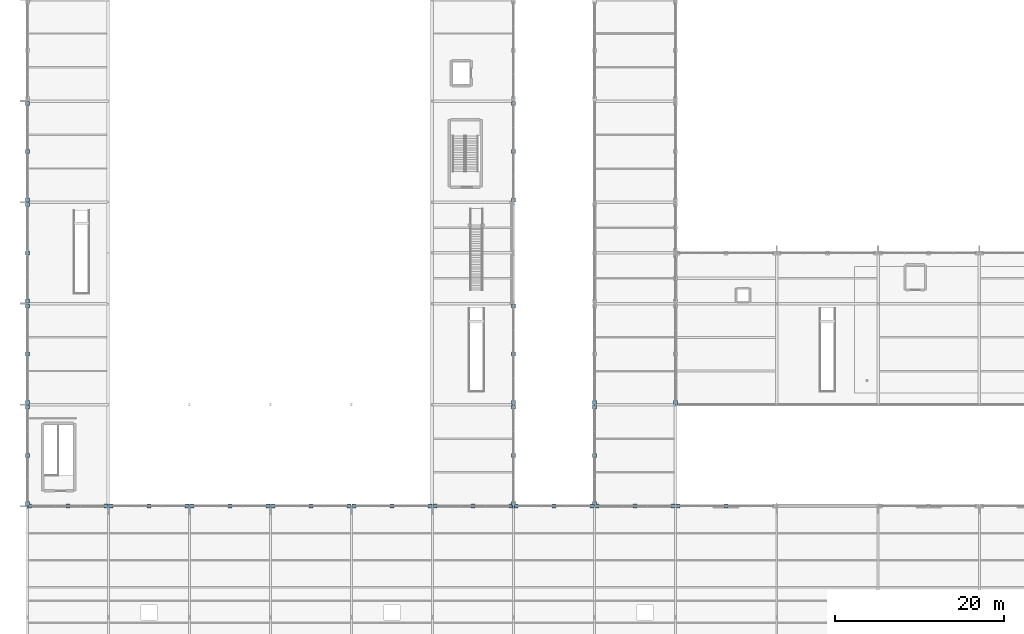
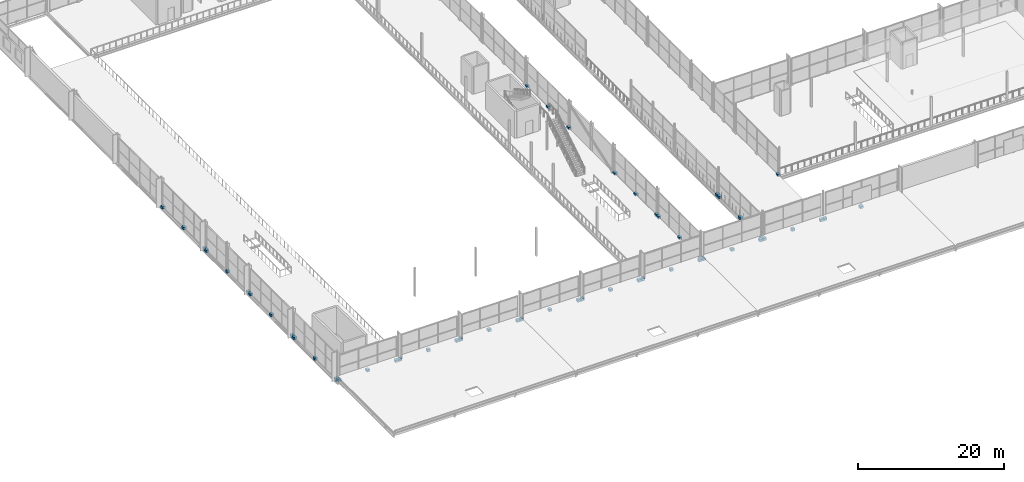
# One storey, part 144 of 159: 52 discrete accessories.
"""IFC4 building model written with IfcOpenShell, lengths in metres."""

from ifc_helpers import new_model, si_unit, direction, frame, origin, origin_2d, place, context, subcontext, project, spatial, rectangle, extrude, material, layer, layer_set, type_object, element, save


model = new_model("IFC4")

# Units and contexts
model_context = context("Model", 3, precision=1e-05, world=origin(), true_north=direction((0.0, 1.0)))
body_context = subcontext(model_context, "Body", "Model", "MODEL_VIEW")
ifc_project = project(units=[si_unit("LENGTHUNIT", "METRE"), si_unit("AREAUNIT", "SQUARE_METRE"), si_unit("VOLUMEUNIT", "CUBIC_METRE"), si_unit("PLANEANGLEUNIT", "RADIAN"), si_unit("MASSUNIT", "GRAM", prefix="KILO")], contexts=[model_context])

# Site, building, storey
site_placement = place(None, origin())
site = spatial("IfcSite", under=ifc_project, at=site_placement, CompositionType="ELEMENT")
building_placement = place(site_placement, origin())
building = spatial("IfcBuilding", under=site, at=building_placement, Name="Merenkruunu Market Hall", CompositionType="ELEMENT")
storey_placement = place(building_placement, frame((0.0, 0.0, 5.39990234375)))
storey = spatial("IfcBuildingStorey", under=building, at=storey_placement, Name="L01", CompositionType="ELEMENT", Elevation=5.39990234375)

# Discrete accessories
ifc_material = material(Name="Brushed stainless steel", Category="steel")
ifc_layer = layer(ifc_material, 0.159912109375)
ifc_layer_set = layer_set([ifc_layer], Name="Brushed stainless steel")
discrete_accessory_type = type_object("IfcDiscreteAccessoryType", Name="Stainless Facade Support Bracket BRK01", PredefinedType="BRACKET", material=ifc_layer_set)
for number, where, z_axis, x_axis, name in (
    (1, (0.0, 15.8798828125, -0.199951171875), (0.0, 0.0, 1.0), (1.0, 0.0, 0.0), "ACC-CWBRK-002-1"),
    (2, (0.0, 21.60009765625, -0.199951171875), (0.0, 0.0, 1.0), (1.0, 0.0, 0.0), "ACC-CWBRK-002-2"),
    (3, (0.0, 27.320068359375, -0.199951171875), (0.0, 0.0, 1.0), (1.0, 0.0, 0.0), "ACC-CWBRK-002-3"),
    (4, (0.0, 27.8798828125, -0.199951171875), (0.0, 0.0, 1.0), (1.0, 0.0, 0.0), "ACC-CWBRK-005-1"),
    (5, (0.0, 33.60009765625, -0.199951171875), (0.0, 0.0, 1.0), (1.0, 0.0, 0.0), "ACC-CWBRK-005-2"),
    (6, (0.0, 39.320068359375, -0.199951171875), (0.0, 0.0, 1.0), (1.0, 0.0, 0.0), "ACC-CWBRK-005-3"),
    (7, (0.0, 39.8798828125, -0.199951171875), (0.0, 0.0, 1.0), (1.0, 0.0, 0.0), "ACC-CWBRK-008-1"),
    (8, (0.0, 45.60009765625, -0.199951171875), (0.0, 0.0, 1.0), (1.0, 0.0, 0.0), "ACC-CWBRK-008-2"),
    (9, (0.0, 51.320068359375, -0.199951171875), (0.0, 0.0, 1.0), (1.0, 0.0, 0.0), "ACC-CWBRK-008-3"),
    (10, (0.0, 51.8798828125, -0.199951171875), (0.0, 0.0, 1.0), (1.0, 0.0, 0.0), "ACC-CWBRK-011-1"),
    (11, (0.0, 57.60009765625, -0.199951171875), (0.0, 0.0, 1.0), (1.0, 0.0, 0.0), "ACC-CWBRK-011-2"),
    (12, (0.0, 63.320068359375, -0.199951171875), (0.0, 0.0, 1.0), (1.0, 0.0, 0.0), "ACC-CWBRK-011-3"),
    (13, (9.320068359375, 15.60009765625, -0.199951171875), (0.0, 0.0, 1.0), (1.0, 0.0, 0.0), "ACC-CWBRK-020-1"),
    (14, (4.800048828125, 15.60009765625, -0.199951171875), (0.0, 0.0, 1.0), (1.0, 0.0, 0.0), "ACC-CWBRK-020-2"),
    (15, (0.280029296875, 15.60009765625, -0.199951171875), (0.0, 0.0, 1.0), (1.0, 0.0, 0.0), "ACC-CWBRK-020-3"),
    (16, (18.919921875, 15.60009765625, -0.199951171875), (0.0, 0.0, 1.0), (1.0, 0.0, 0.0), "ACC-CWBRK-023-1"),
    (17, (14.39990234375, 15.60009765625, -0.199951171875), (0.0, 0.0, 1.0), (1.0, 0.0, 0.0), "ACC-CWBRK-023-2"),
    (18, (9.8798828125, 15.60009765625, -0.199951171875), (0.0, 0.0, 1.0), (1.0, 0.0, 0.0), "ACC-CWBRK-023-3"),
    (19, (28.52001953125, 15.60009765625, -0.199951171875), (0.0, 0.0, 1.0), (1.0, 0.0, 0.0), "ACC-CWBRK-026-1"),
    (20, (24.0, 15.60009765625, -0.199951171875), (0.0, 0.0, 1.0), (1.0, 0.0, 0.0), "ACC-CWBRK-026-2"),
    (21, (19.47998046875, 15.60009765625, -0.199951171875), (0.0, 0.0, 1.0), (1.0, 0.0, 0.0), "ACC-CWBRK-026-3"),
    (22, (38.1201171875, 15.60009765625, -0.199951171875), (0.0, 0.0, 1.0), (1.0, 0.0, 0.0), "ACC-CWBRK-029-1"),
    (23, (33.60009765625, 15.60009765625, -0.199951171875), (0.0, 0.0, 1.0), (1.0, 0.0, 0.0), "ACC-CWBRK-029-2"),
    (24, (29.080078125, 15.60009765625, -0.199951171875), (0.0, 0.0, 1.0), (1.0, 0.0, 0.0), "ACC-CWBRK-029-3"),
    (25, (47.719970703125, 15.60009765625, -0.199951171875), (0.0, 0.0, 1.0), (1.0, 0.0, 0.0), "ACC-CWBRK-032-1"),
    (26, (43.199951171875, 15.60009765625, -0.199951171875), (0.0, 0.0, 1.0), (1.0, 0.0, 0.0), "ACC-CWBRK-032-2"),
    (27, (38.679931640625, 15.60009765625, -0.199951171875), (0.0, 0.0, 1.0), (1.0, 0.0, 0.0), "ACC-CWBRK-032-3"),
    (28, (57.320068359375, 15.60009765625, -0.199951171875), (0.0, 0.0, 1.0), (1.0, 0.0, 0.0), "ACC-CWBRK-035-1"),
    (29, (52.800048828125, 15.60009765625, -0.199951171875), (0.0, 0.0, 1.0), (1.0, 0.0, 0.0), "ACC-CWBRK-035-2"),
    (30, (48.280029296875, 15.60009765625, -0.199951171875), (0.0, 0.0, 1.0), (1.0, 0.0, 0.0), "ACC-CWBRK-035-3"),
    (31, (57.60009765625, 15.8798828125, -0.199951171875), (0.0, 0.0, 1.0), (1.0, 0.0, 0.0), "ACC-CWBRK-122-1"),
    (32, (57.60009765625, 21.60009765625, -0.199951171875), (0.0, 0.0, 1.0), (1.0, 0.0, 0.0), "ACC-CWBRK-122-2"),
    (33, (57.60009765625, 27.320068359375, -0.199951171875), (0.0, 0.0, 1.0), (1.0, 0.0, 0.0), "ACC-CWBRK-122-3"),
    (34, (57.60009765625, 27.8798828125, -0.199951171875), (0.0, 0.0, 1.0), (1.0, 0.0, 0.0), "ACC-CWBRK-125-1"),
    (35, (57.60009765625, 33.60009765625, -0.199951171875), (0.0, 0.0, 1.0), (1.0, 0.0, 0.0), "ACC-CWBRK-125-2"),
    (36, (57.60009765625, 39.320068359375, -0.199951171875), (0.0, 0.0, 1.0), (1.0, 0.0, 0.0), "ACC-CWBRK-125-3"),
    (37, (57.60009765625, 51.8798828125, -0.199951171875), (0.0, 0.0, 1.0), (1.0, 0.0, 0.0), "ACC-CWBRK-128-1"),
    (38, (57.60009765625, 57.60009765625, -0.199951171875), (0.0, 0.0, 1.0), (1.0, 0.0, 0.0), "ACC-CWBRK-128-2"),
    (39, (57.60009765625, 63.320068359375, -0.199951171875), (0.0, 0.0, 1.0), (1.0, 0.0, 0.0), "ACC-CWBRK-128-3"),
    (40, (66.919921875, 15.60009765625, -0.199951171875), (0.0, 0.0, 1.0), (1.0, 0.0, 0.0), "ACC-CWBRK-140-1"),
    (41, (62.39990234375, 15.60009765625, -0.199951171875), (0.0, 0.0, 1.0), (1.0, 0.0, 0.0), "ACC-CWBRK-140-2"),
    (42, (57.8798828125, 15.60009765625, -0.199951171875), (0.0, 0.0, 1.0), (1.0, 0.0, 0.0), "ACC-CWBRK-140-3"),
    (43, (76.52001953125, 15.60009765625, -0.199951171875), (0.0, 0.0, 1.0), (1.0, 0.0, 0.0), "ACC-CWBRK-146-1"),
    (44, (72.0, 15.60009765625, -0.199951171875), (0.0, 0.0, 1.0), (1.0, 0.0, 0.0), "ACC-CWBRK-146-2"),
    (45, (67.47998046875, 15.60009765625, -0.199951171875), (0.0, 0.0, 1.0), (1.0, 0.0, 0.0), "ACC-CWBRK-146-3"),
    (46, (76.800048828125, 27.8798828125, -0.199951171875), (0.0, 0.0, 1.0), (1.0, 0.0, 0.0), "ACC-CWBRK-153-1"),
    (47, (67.199951171875, 15.8798828125, -0.199951171875), (0.0, 0.0, 1.0), (1.0, 0.0, 0.0), "ACC-CWBRK-169-1"),
    (48, (67.199951171875, 21.60009765625, -0.199951171875), (0.0, 0.0, 1.0), (1.0, 0.0, 0.0), "ACC-CWBRK-169-2"),
    (49, (67.199951171875, 27.320068359375, -0.199951171875), (0.0, 0.0, 1.0), (1.0, 0.0, 0.0), "ACC-CWBRK-169-3"),
    (50, (67.199951171875, 27.8798828125, -0.199951171875), (0.0, 0.0, 1.0), (1.0, 0.0, 0.0), "ACC-CWBRK-171-1"),
    (51, (82.800048828125, 15.60009765625, -0.199951171875), (0.0, 0.0, 1.0), (1.0, 0.0, 0.0), "ACC-CWBRK-181-2"),
    (52, (77.080078125, 15.60009765625, -0.199951171875), (0.0, 0.0, 1.0), (1.0, 0.0, 0.0), "ACC-CWBRK-181-3"),
):
    element("IfcDiscreteAccessory", number, at=place(storey_placement, frame(where, z_axis=z_axis, x_axis=x_axis)), inside=storey, type_object=discrete_accessory_type, Name=name, PredefinedType="BRACKET", context=body_context, shape_type="SweptSolid", body=[
        extrude(rectangle(XDim=0.47998046875, YDim=0.47998046875, at=origin_2d()), origin(), (0.0, 0.0, 1.0), 0.39990234375),
    ])

save(model, "model.ifc")
